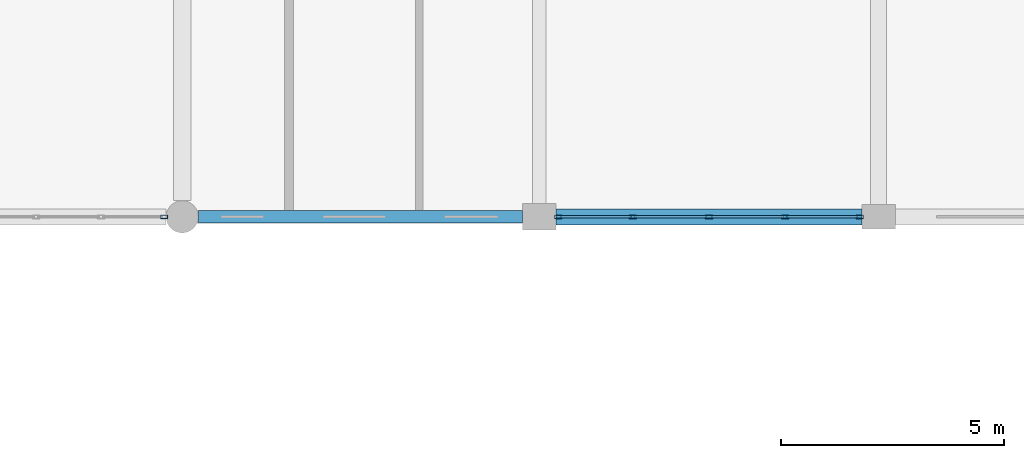
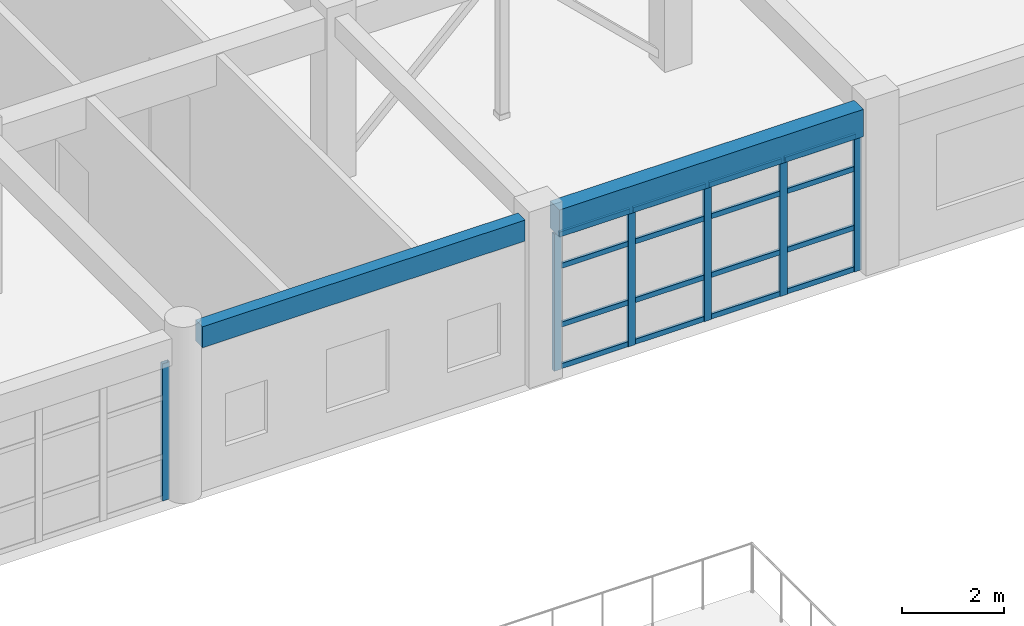
# One storey, part 125 of 195: 22 members, 2 beams, 2 elements without a shape of their own.
"""IFC4 building model written with IfcOpenShell, lengths in metres."""

from ifc_helpers import new_model, si_unit, direction, frame, origin, origin_2d, place, context, subcontext, project, spatial, rectangle, hollow_rectangle, extrude, material, material_profile, profile_set, type_object, element, aggregate, save


model = new_model("IFC4")

# Units and contexts
model_context = context("Model", 3, precision=1e-05, world=origin(), true_north=direction((0.0, 1.0)))
body_context = subcontext(model_context, "Body", "Model", "MODEL_VIEW")
ifc_project = project(units=[si_unit("LENGTHUNIT", "METRE"), si_unit("AREAUNIT", "SQUARE_METRE"), si_unit("VOLUMEUNIT", "CUBIC_METRE"), si_unit("PLANEANGLEUNIT", "RADIAN"), si_unit("MASSUNIT", "GRAM", prefix="KILO")], contexts=[model_context])

# Site, building, storey
site_placement = place(None, origin())
site = spatial("IfcSite", under=ifc_project, at=site_placement, CompositionType="ELEMENT")
building_placement = place(site_placement, origin())
building = spatial("IfcBuilding", under=site, at=building_placement, Name="Kharva Crest Polytechnic", CompositionType="ELEMENT")
storey_placement = place(building_placement, frame((0.0, 0.0, 9.0)))
storey = spatial("IfcBuildingStorey", under=building, at=storey_placement, Name="L02", CompositionType="ELEMENT", Elevation=9.0)

# Curtain wall, member
ifc_material_1 = material(Name="Tempered insulated glass", Category="glass")
curtain_wall_type = type_object("IfcCurtainWallType", Name="CW-SYS-COURT", PredefinedType="USERDEFINED", material=ifc_material_1)
curtain_wall_1_placement = place(storey_placement, origin())
curtain_wall_1 = element("IfcCurtainWall", 1, at=curtain_wall_1_placement, inside=storey, type_object=curtain_wall_type, Name="L02 Glazed Curtain Wall CW-101", ObjectType="CURTAIN WALL", PredefinedType="USERDEFINED")
ifc_material_2 = material(Name="Steel S355", Category="steel")
ifc_material_profile_1 = material_profile(ifc_material_2, hollow_rectangle(XDim=0.080078125, YDim=0.159912109375, WallThickness=0.0048828125, at=origin_2d()), Name="RHS 160X80X5.0")
ifc_profile_set_1 = profile_set([ifc_material_profile_1], Name="Steel S355")
member_type_1 = type_object("IfcMemberType", Name="CWM-RHS160X80", PredefinedType="MULLION", material=ifc_profile_set_1)
member_1_placement = place(storey_placement, frame((160.39501953125, 38.800048828125, 0.0), z_axis=(0.0, 0.0, 1.0), x_axis=(0.0, 1.0, 0.0)))
member_1 = element("IfcMember", 2, at=member_1_placement, type_object=member_type_1, Name="CW-101 mullion 6", PredefinedType="MULLION", context=body_context, shape_type="SweptSolid", body=[
    extrude(hollow_rectangle(XDim=0.080078125, YDim=0.159912109375, WallThickness=0.0048828125, at=origin_2d()), origin(), (0.0, 0.0, 1.0), 3.27001953125),
])
aggregate(curtain_wall_1, [member_1])

# Curtain wall, members
curtain_wall_2_placement = place(storey_placement, origin())
curtain_wall_2 = element("IfcCurtainWall", 3, at=curtain_wall_2_placement, inside=storey, type_object=curtain_wall_type, Name="L02 Glazed Curtain Wall CW-102", ObjectType="CURTAIN WALL", PredefinedType="USERDEFINED")
member_2_placement = place(storey_placement, frame((169.219970703125, 38.800048828125, 0.0), z_axis=(0.0, 0.0, 1.0), x_axis=(0.0, 1.0, 0.0)))
member_2 = element("IfcMember", 4, at=member_2_placement, type_object=member_type_1, Name="CW-102 mullion 1", PredefinedType="MULLION", context=body_context, shape_type="SweptSolid", body=[
    extrude(hollow_rectangle(XDim=0.080078125, YDim=0.159912109375, WallThickness=0.0048828125, at=origin_2d()), origin(), (0.0, 0.0, 1.0), 3.27001953125),
])
member_3_placement = place(storey_placement, frame((170.889892578125, 38.800048828125, 0.0), z_axis=(0.0, 0.0, 1.0), x_axis=(0.0, 1.0, 0.0)))
member_3 = element("IfcMember", 5, at=member_3_placement, type_object=member_type_1, Name="CW-102 mullion 2", PredefinedType="MULLION", context=body_context, shape_type="SweptSolid", body=[
    extrude(hollow_rectangle(XDim=0.080078125, YDim=0.159912109375, WallThickness=0.0048828125, at=origin_2d()), origin(), (0.0, 0.0, 1.0), 3.27001953125),
])
member_4_placement = place(storey_placement, frame((172.60009765625, 38.800048828125, 0.0), z_axis=(0.0, 0.0, 1.0), x_axis=(0.0, 1.0, 0.0)))
member_4 = element("IfcMember", 6, at=member_4_placement, type_object=member_type_1, Name="CW-102 mullion 3", PredefinedType="MULLION", context=body_context, shape_type="SweptSolid", body=[
    extrude(hollow_rectangle(XDim=0.080078125, YDim=0.159912109375, WallThickness=0.0048828125, at=origin_2d()), origin(), (0.0, 0.0, 1.0), 3.27001953125),
])
member_5_placement = place(storey_placement, frame((174.31005859375, 38.800048828125, 0.0), z_axis=(0.0, 0.0, 1.0), x_axis=(0.0, 1.0, 0.0)))
member_5 = element("IfcMember", 7, at=member_5_placement, type_object=member_type_1, Name="CW-102 mullion 4", PredefinedType="MULLION", context=body_context, shape_type="SweptSolid", body=[
    extrude(hollow_rectangle(XDim=0.080078125, YDim=0.159912109375, WallThickness=0.0048828125, at=origin_2d()), origin(), (0.0, 0.0, 1.0), 3.27001953125),
])
member_6_placement = place(storey_placement, frame((175.97998046875, 38.800048828125, 0.0), z_axis=(0.0, 0.0, 1.0), x_axis=(0.0, 1.0, 0.0)))
member_6 = element("IfcMember", 8, at=member_6_placement, type_object=member_type_1, Name="CW-102 mullion 5", PredefinedType="MULLION", context=body_context, shape_type="SweptSolid", body=[
    extrude(hollow_rectangle(XDim=0.080078125, YDim=0.159912109375, WallThickness=0.0048828125, at=origin_2d()), origin(), (0.0, 0.0, 1.0), 3.27001953125),
])
ifc_material_profile_2 = material_profile(ifc_material_2, hollow_rectangle(XDim=0.06005859375, YDim=0.1201171875, WallThickness=0.00390625, at=origin_2d()), Name="RHS 120X60X4.0")
ifc_profile_set_2 = profile_set([ifc_material_profile_2], Name="Steel S355")
member_type_2 = type_object("IfcMemberType", Name="CWT-RHS120X60", PredefinedType="USERDEFINED", material=ifc_profile_set_2)
member_7_placement = place(storey_placement, frame((169.260009765625, 38.800048828125, 0.06005859375), z_axis=(1.0, 0.0, 0.0), x_axis=(0.0, 1.0, 0.0)))
member_7 = element("IfcMember", 9, at=member_7_placement, type_object=member_type_2, Name="CW-102 transom 1.1", ObjectType="TRANSOM", PredefinedType="USERDEFINED", context=body_context, shape_type="SweptSolid", body=[
    extrude(hollow_rectangle(XDim=0.06005859375, YDim=0.1201171875, WallThickness=0.00390625, at=origin_2d()), origin(), (0.0, 0.0, 1.0), 1.590087890625),
])
member_8_placement = place(storey_placement, frame((169.260009765625, 38.800048828125, 1.050048828125), z_axis=(1.0, 0.0, 0.0), x_axis=(0.0, 1.0, 0.0)))
member_8 = element("IfcMember", 10, at=member_8_placement, type_object=member_type_2, Name="CW-102 transom 1.2", ObjectType="TRANSOM", PredefinedType="USERDEFINED", context=body_context, shape_type="SweptSolid", body=[
    extrude(hollow_rectangle(XDim=0.06005859375, YDim=0.1201171875, WallThickness=0.00390625, at=origin_2d()), origin(), (0.0, 0.0, 1.0), 1.590087890625),
])
member_9_placement = place(storey_placement, frame((169.260009765625, 38.800048828125, 2.449951171875), z_axis=(1.0, 0.0, 0.0), x_axis=(0.0, 1.0, 0.0)))
member_9 = element("IfcMember", 11, at=member_9_placement, type_object=member_type_2, Name="CW-102 transom 1.3", ObjectType="TRANSOM", PredefinedType="USERDEFINED", context=body_context, shape_type="SweptSolid", body=[
    extrude(hollow_rectangle(XDim=0.06005859375, YDim=0.1201171875, WallThickness=0.00390625, at=origin_2d()), origin(), (0.0, 0.0, 1.0), 1.590087890625),
])
member_10_placement = place(storey_placement, frame((169.260009765625, 38.800048828125, 3.2099609375), z_axis=(1.0, 0.0, 0.0), x_axis=(0.0, 1.0, 0.0)))
member_10 = element("IfcMember", 12, at=member_10_placement, type_object=member_type_2, Name="CW-102 transom 1.4", ObjectType="TRANSOM", PredefinedType="USERDEFINED", context=body_context, shape_type="SweptSolid", body=[
    extrude(hollow_rectangle(XDim=0.06005859375, YDim=0.1201171875, WallThickness=0.00390625, at=origin_2d()), origin(), (0.0, 0.0, 1.0), 1.590087890625),
])
member_11_placement = place(storey_placement, frame((170.929931640625, 38.800048828125, 0.06005859375), z_axis=(1.0, 0.0, 0.0), x_axis=(0.0, 1.0, 0.0)))
member_11 = element("IfcMember", 13, at=member_11_placement, type_object=member_type_2, Name="CW-102 transom 2.1", ObjectType="TRANSOM", PredefinedType="USERDEFINED", context=body_context, shape_type="SweptSolid", body=[
    extrude(hollow_rectangle(XDim=0.06005859375, YDim=0.1201171875, WallThickness=0.00390625, at=origin_2d()), origin(), (0.0, 0.0, 1.0), 1.630126953125),
])
member_12_placement = place(storey_placement, frame((170.929931640625, 38.800048828125, 1.050048828125), z_axis=(1.0, 0.0, 0.0), x_axis=(0.0, 1.0, 0.0)))
member_12 = element("IfcMember", 14, at=member_12_placement, type_object=member_type_2, Name="CW-102 transom 2.2", ObjectType="TRANSOM", PredefinedType="USERDEFINED", context=body_context, shape_type="SweptSolid", body=[
    extrude(hollow_rectangle(XDim=0.06005859375, YDim=0.1201171875, WallThickness=0.00390625, at=origin_2d()), origin(), (0.0, 0.0, 1.0), 1.630126953125),
])
member_13_placement = place(storey_placement, frame((170.929931640625, 38.800048828125, 2.449951171875), z_axis=(1.0, 0.0, 0.0), x_axis=(0.0, 1.0, 0.0)))
member_13 = element("IfcMember", 15, at=member_13_placement, type_object=member_type_2, Name="CW-102 transom 2.3", ObjectType="TRANSOM", PredefinedType="USERDEFINED", context=body_context, shape_type="SweptSolid", body=[
    extrude(hollow_rectangle(XDim=0.06005859375, YDim=0.1201171875, WallThickness=0.00390625, at=origin_2d()), origin(), (0.0, 0.0, 1.0), 1.630126953125),
])
member_14_placement = place(storey_placement, frame((170.929931640625, 38.800048828125, 3.2099609375), z_axis=(1.0, 0.0, 0.0), x_axis=(0.0, 1.0, 0.0)))
member_14 = element("IfcMember", 16, at=member_14_placement, type_object=member_type_2, Name="CW-102 transom 2.4", ObjectType="TRANSOM", PredefinedType="USERDEFINED", context=body_context, shape_type="SweptSolid", body=[
    extrude(hollow_rectangle(XDim=0.06005859375, YDim=0.1201171875, WallThickness=0.00390625, at=origin_2d()), origin(), (0.0, 0.0, 1.0), 1.630126953125),
])
member_15_placement = place(storey_placement, frame((172.639892578125, 38.800048828125, 0.06005859375), z_axis=(1.0, 0.0, 0.0), x_axis=(0.0, 1.0, 0.0)))
member_15 = element("IfcMember", 17, at=member_15_placement, type_object=member_type_2, Name="CW-102 transom 3.1", ObjectType="TRANSOM", PredefinedType="USERDEFINED", context=body_context, shape_type="SweptSolid", body=[
    extrude(hollow_rectangle(XDim=0.06005859375, YDim=0.1201171875, WallThickness=0.00390625, at=origin_2d()), origin(), (0.0, 0.0, 1.0), 1.630126953125),
])
member_16_placement = place(storey_placement, frame((172.639892578125, 38.800048828125, 1.050048828125), z_axis=(1.0, 0.0, 0.0), x_axis=(0.0, 1.0, 0.0)))
member_16 = element("IfcMember", 18, at=member_16_placement, type_object=member_type_2, Name="CW-102 transom 3.2", ObjectType="TRANSOM", PredefinedType="USERDEFINED", context=body_context, shape_type="SweptSolid", body=[
    extrude(hollow_rectangle(XDim=0.06005859375, YDim=0.1201171875, WallThickness=0.00390625, at=origin_2d()), origin(), (0.0, 0.0, 1.0), 1.630126953125),
])
member_17_placement = place(storey_placement, frame((172.639892578125, 38.800048828125, 2.449951171875), z_axis=(1.0, 0.0, 0.0), x_axis=(0.0, 1.0, 0.0)))
member_17 = element("IfcMember", 19, at=member_17_placement, type_object=member_type_2, Name="CW-102 transom 3.3", ObjectType="TRANSOM", PredefinedType="USERDEFINED", context=body_context, shape_type="SweptSolid", body=[
    extrude(hollow_rectangle(XDim=0.06005859375, YDim=0.1201171875, WallThickness=0.00390625, at=origin_2d()), origin(), (0.0, 0.0, 1.0), 1.630126953125),
])
member_18_placement = place(storey_placement, frame((172.639892578125, 38.800048828125, 3.2099609375), z_axis=(1.0, 0.0, 0.0), x_axis=(0.0, 1.0, 0.0)))
member_18 = element("IfcMember", 20, at=member_18_placement, type_object=member_type_2, Name="CW-102 transom 3.4", ObjectType="TRANSOM", PredefinedType="USERDEFINED", context=body_context, shape_type="SweptSolid", body=[
    extrude(hollow_rectangle(XDim=0.06005859375, YDim=0.1201171875, WallThickness=0.00390625, at=origin_2d()), origin(), (0.0, 0.0, 1.0), 1.630126953125),
])
member_19_placement = place(storey_placement, frame((174.35009765625, 38.800048828125, 0.06005859375), z_axis=(1.0, 0.0, 0.0), x_axis=(0.0, 1.0, 0.0)))
member_19 = element("IfcMember", 21, at=member_19_placement, type_object=member_type_2, Name="CW-102 transom 4.1", ObjectType="TRANSOM", PredefinedType="USERDEFINED", context=body_context, shape_type="SweptSolid", body=[
    extrude(hollow_rectangle(XDim=0.06005859375, YDim=0.1201171875, WallThickness=0.00390625, at=origin_2d()), origin(), (0.0, 0.0, 1.0), 1.58984375),
])
member_20_placement = place(storey_placement, frame((174.35009765625, 38.800048828125, 1.050048828125), z_axis=(1.0, 0.0, 0.0), x_axis=(0.0, 1.0, 0.0)))
member_20 = element("IfcMember", 22, at=member_20_placement, type_object=member_type_2, Name="CW-102 transom 4.2", ObjectType="TRANSOM", PredefinedType="USERDEFINED", context=body_context, shape_type="SweptSolid", body=[
    extrude(hollow_rectangle(XDim=0.06005859375, YDim=0.1201171875, WallThickness=0.00390625, at=origin_2d()), origin(), (0.0, 0.0, 1.0), 1.58984375),
])
member_21_placement = place(storey_placement, frame((174.35009765625, 38.800048828125, 2.449951171875), z_axis=(1.0, 0.0, 0.0), x_axis=(0.0, 1.0, 0.0)))
member_21 = element("IfcMember", 23, at=member_21_placement, type_object=member_type_2, Name="CW-102 transom 4.3", ObjectType="TRANSOM", PredefinedType="USERDEFINED", context=body_context, shape_type="SweptSolid", body=[
    extrude(hollow_rectangle(XDim=0.06005859375, YDim=0.1201171875, WallThickness=0.00390625, at=origin_2d()), origin(), (0.0, 0.0, 1.0), 1.58984375),
])
member_22_placement = place(storey_placement, frame((174.35009765625, 38.800048828125, 3.2099609375), z_axis=(1.0, 0.0, 0.0), x_axis=(0.0, 1.0, 0.0)))
member_22 = element("IfcMember", 24, at=member_22_placement, type_object=member_type_2, Name="CW-102 transom 4.4", ObjectType="TRANSOM", PredefinedType="USERDEFINED", context=body_context, shape_type="SweptSolid", body=[
    extrude(hollow_rectangle(XDim=0.06005859375, YDim=0.1201171875, WallThickness=0.00390625, at=origin_2d()), origin(), (0.0, 0.0, 1.0), 1.58984375),
])
aggregate(curtain_wall_2, [member_2, member_3, member_4, member_5, member_6, member_7, member_8, member_9, member_10, member_11, member_12, member_13, member_14, member_15, member_16, member_17, member_18, member_19, member_20, member_21, member_22])

# Beams
ifc_material_3 = material(Name="Concrete C35/45", Category="concrete")
ifc_material_profile_3 = material_profile(ifc_material_3, rectangle(XDim=0.280029296875, YDim=0.5, at=origin_2d()), Name="RECT 280 X 500")
ifc_profile_set_3 = profile_set([ifc_material_profile_3], Name="Concrete C35/45")
beam_type_1 = type_object("IfcBeamType", Name="SP-RC-280X500", PredefinedType="SPANDREL", material=ifc_profile_set_3)
beam_1_placement = place(storey_placement, frame((161.159912109375, 38.800048828125, 3.669921875), z_axis=(1.0, 0.0, 0.0), x_axis=(0.0, 1.0, 0.0)))
element("IfcBeam", 25, at=beam_1_placement, inside=storey, type_object=beam_type_1, Name="L02 Beam FJ/21-22", PredefinedType="SPANDREL", context=body_context, shape_type="SweptSolid", body=[
    extrude(rectangle(XDim=0.280029296875, YDim=0.5, at=origin_2d()), origin(), (0.0, 0.0, 1.0), 7.26513671875),
])
ifc_material_profile_4 = material_profile(ifc_material_3, rectangle(XDim=0.360107421875, YDim=0.64990234375, at=origin_2d()), Name="RECT 360 X 650")
ifc_profile_set_4 = profile_set([ifc_material_profile_4], Name="Concrete C35/45")
beam_type_2 = type_object("IfcBeamType", Name="SP-RC-360X650", PredefinedType="SPANDREL", material=ifc_profile_set_4)
beam_2_placement = place(storey_placement, frame((169.175048828125, 38.800048828125, 3.594970703125), z_axis=(1.0, 0.0, 0.0), x_axis=(0.0, 1.0, 0.0)))
element("IfcBeam", 26, at=beam_2_placement, inside=storey, type_object=beam_type_2, Name="L02 Beam FJ/22-23", PredefinedType="SPANDREL", context=body_context, shape_type="SweptSolid", body=[
    extrude(rectangle(XDim=0.360107421875, YDim=0.64990234375, at=origin_2d()), origin(), (0.0, 0.0, 1.0), 6.849853515625),
])

save(model, "model.ifc")
